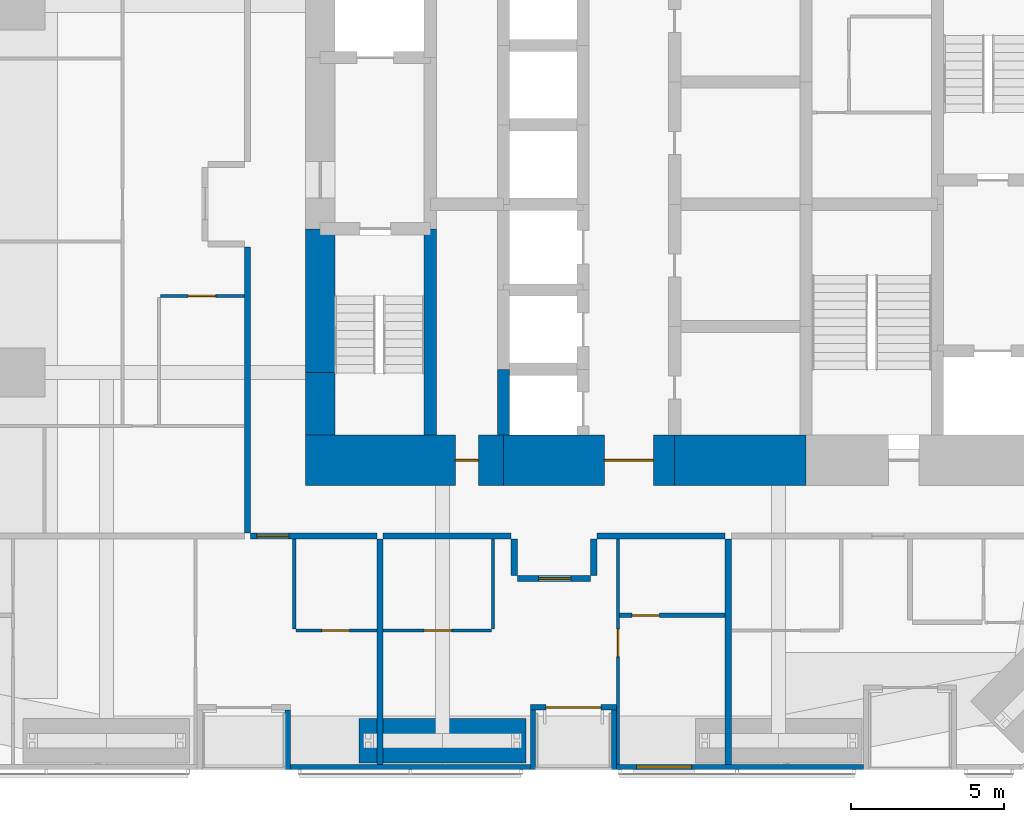
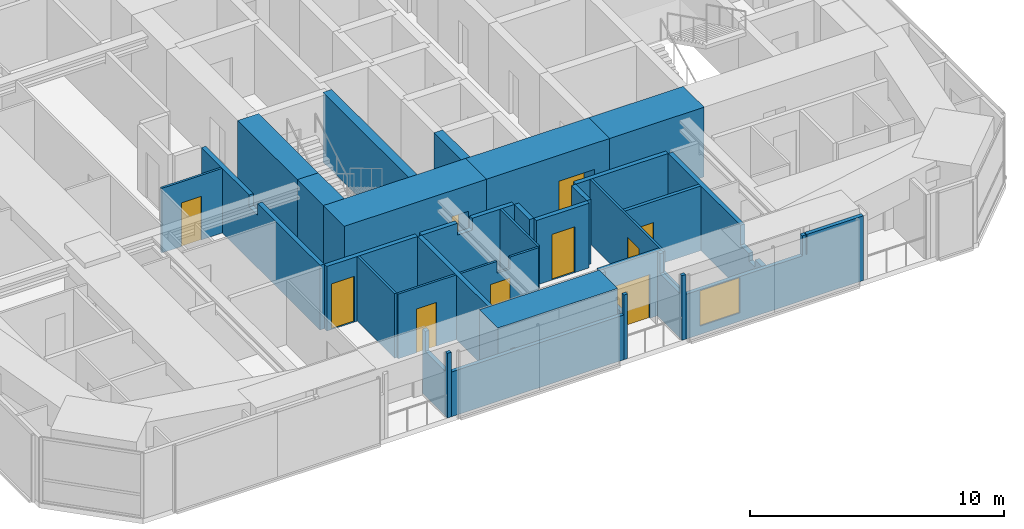
# One storey, part 17 of 23: 30 walls, 10 doors, 1 window, 11 openings.
"""IFC4 building model written with IfcOpenShell, lengths in metres."""

from ifc_helpers import new_model, si_unit, direction, frame, frame_2d, origin, place, context, subcontext, project, spatial, polyline, rectangle, outline, extrude, material, layer, layer_set, constituent, constituent_set, type_object, element, fill, save


model = new_model("IFC4")

# Units and contexts
model_context = context("Model", 3, precision=1e-05, world=origin(), true_north=direction((0.0, 1.0)))
body_context = subcontext(model_context, "Body", "Model", "MODEL_VIEW")
ifc_project = project(units=[si_unit("LENGTHUNIT", "METRE"), si_unit("AREAUNIT", "SQUARE_METRE"), si_unit("VOLUMEUNIT", "CUBIC_METRE"), si_unit("PLANEANGLEUNIT", "RADIAN"), si_unit("MASSUNIT", "GRAM", prefix="KILO")], contexts=[model_context])

# Site, building, storey
site_placement = place(None, origin())
site = spatial("IfcSite", under=ifc_project, at=site_placement, CompositionType="ELEMENT")
building_placement = place(site_placement, origin())
building = spatial("IfcBuilding", under=site, at=building_placement, Name="Jalousie Tower", CompositionType="ELEMENT")
storey_placement = place(building_placement, frame((0.0, 0.0, 27.699951171875)))
storey = spatial("IfcBuildingStorey", under=building, at=storey_placement, Name="L06", CompositionType="ELEMENT", Elevation=27.699951171875)

# Wall, opening, door
ifc_material_1 = material(Name="Concrete block ASTM C90", Category="concrete")
ifc_constituent_1 = constituent(ifc_material_1, Name="Body")
ifc_material_2 = material(Name="Render")
ifc_constituent_2 = constituent(ifc_material_2, Name="Finish")
ifc_constituent_set_1 = constituent_set(constituents=[ifc_constituent_1, ifc_constituent_2])
wall_type_1 = type_object("IfcWallType", Name="BATHROOM WALL 150", PredefinedType="PLUMBINGWALL", material=ifc_constituent_set_1)
wall_1_placement = place(storey_placement, frame((29.800048828125, 5.050048828125, 0.0), z_axis=(0.0, 0.0, 1.0), x_axis=(1.0, 0.0, 0.0)))
wall_1 = element("IfcWall", 1, at=wall_1_placement, inside=storey, type_object=wall_type_1, Name="Bathroom Wall 150 L06", PredefinedType="PLUMBINGWALL", context=body_context, shape_type="SweptSolid", body=[
    extrude(rectangle(XDim=3.449951171875, YDim=0.14990234375, at=frame_2d((1.72509765625, 0.0))), origin(), (0.0, 0.0, 1.0), 3.110107421875),
])
opening_1_placement = place(wall_1_placement, frame((0.39990234375, 0.0, 0.0)))
opening_1 = element("IfcOpeningElement", 2, at=opening_1_placement, cuts=wall_1, Name="Opening D3", PredefinedType="OPENING", context=body_context, shape_type="SweptSolid", body=[
    extrude(rectangle(XDim=0.89990234375, YDim=2.10009765625, at=frame_2d((0.449951171875, 1.050048828125))), frame((0.0, 0.0849609375, 0.0), z_axis=(0.0, -1.0, 0.0), x_axis=(1.0, 0.0, 0.0)), (0.0, 0.0, 1.0), 0.169921875),
])
ifc_material_3 = material(Name="Timber door", Category="wood")
door_type_1 = type_object("IfcDoorType", Name="BATHROOM DOOR 900", OperationType="SINGLE_SWING_LEFT", PredefinedType="DOOR", material=ifc_material_3)
door_1_placement = place(opening_1_placement, origin())
door_1 = element("IfcDoor", 3, at=door_1_placement, inside=storey, type_object=door_type_1, Name="Apartment 0602 bedroom 1 bathroom door", OperationType="SINGLE_SWING_LEFT", OverallHeight=2.10009765625, OverallWidth=0.89990234375, PredefinedType="DOOR", context=body_context, shape_type="SweptSolid", body=[
    extrude(rectangle(XDim=0.89990234375, YDim=2.10009765625, at=frame_2d((0.449951171875, 1.050048828125))), frame((0.0, 0.02490234375, 0.0), z_axis=(0.0, -1.0, 0.0), x_axis=(1.0, 0.0, 0.0)), (0.0, 0.0, 1.0), 0.050048828125),
])
fill(opening_1, door_1)

ifc_material_4 = material(Name="Concrete f'c 120 MPa", Category="concrete")
ifc_layer_1 = layer(ifc_material_4, 1.64990234375)
ifc_layer_set_1 = layer_set([ifc_layer_1], Name="Concrete f'c 120 MPa")
wall_type_2 = type_object("IfcWallType", Name="CORE WALL 1650", PredefinedType="SHEAR", material=ifc_layer_set_1)
wall_2_placement = place(storey_placement, frame((19.52490234375, 10.125, 0.0), z_axis=(0.0, 0.0, 1.0), x_axis=(1.0, 0.0, 0.0)))
wall_2 = element("IfcWall", 4, at=wall_2_placement, inside=storey, type_object=wall_type_2, Name="Core wall SA L06", PredefinedType="SHEAR", context=body_context, shape_type="SweptSolid", body=[
    extrude(rectangle(XDim=6.47509765625, YDim=1.64990234375, at=frame_2d((3.237548828125, 0.0))), origin(), (0.0, 0.0, 1.0), 3.35009765625),
])
opening_2_placement = place(wall_2_placement, frame((4.89990234375, 0.0, 0.0)))
opening_2 = element("IfcOpeningElement", 5, at=opening_2_placement, cuts=wall_2, Name="Opening D16", PredefinedType="OPENING", context=body_context, shape_type="SweptSolid", body=[
    extrude(rectangle(XDim=0.75, YDim=2.10009765625, at=frame_2d((0.375, 1.050048828125))), frame((0.0, 0.8349609375, 0.0), z_axis=(0.0, -1.0, 0.0), x_axis=(1.0, 0.0, 0.0)), (0.0, 0.0, 1.0), 1.669921875),
])
ifc_material_5 = material(Name="Steel fire door", Category="steel")
door_type_2 = type_object("IfcDoorType", Name="RISER DOOR 750", OperationType="SINGLE_SWING_LEFT", PredefinedType="DOOR", material=ifc_material_5)
door_2_placement = place(opening_2_placement, origin())
door_2 = element("IfcDoor", 6, at=door_2_placement, inside=storey, type_object=door_type_2, Name="South riser door", OperationType="SINGLE_SWING_LEFT", OverallHeight=2.10009765625, OverallWidth=0.75, PredefinedType="DOOR", context=body_context, shape_type="SweptSolid", body=[
    extrude(rectangle(XDim=0.75, YDim=2.10009765625, at=frame_2d((0.375, 1.050048828125))), frame((0.0, 0.02490234375, 0.0), z_axis=(0.0, -1.0, 0.0), x_axis=(1.0, 0.0, 0.0)), (0.0, 0.0, 1.0), 0.050048828125),
])
fill(opening_2, door_2)

wall_3_placement = place(storey_placement, frame((26.0, 10.125, 0.0), z_axis=(0.0, 0.0, 1.0), x_axis=(1.0, 0.0, 0.0)))
wall_3 = element("IfcWall", 7, at=wall_3_placement, inside=storey, type_object=wall_type_2, Name="Core wall SB L06", PredefinedType="SHEAR", context=body_context, shape_type="SweptSolid", body=[
    extrude(rectangle(XDim=5.60009765625, YDim=1.64990234375, at=frame_2d((2.800048828125, 0.0))), origin(), (0.0, 0.0, 1.0), 3.35009765625),
])
opening_3_placement = place(wall_3_placement, frame((3.300048828125, 0.0, 0.0)))
opening_3 = element("IfcOpeningElement", 8, at=opening_3_placement, cuts=wall_3, Name="Opening D15", PredefinedType="OPENING", context=body_context, shape_type="SweptSolid", body=[
    extrude(rectangle(XDim=1.60009765625, YDim=2.10009765625, at=frame_2d((0.800048828125, 1.050048828125))), frame((0.0, 0.8349609375, 0.0), z_axis=(0.0, -1.0, 0.0), x_axis=(1.0, 0.0, 0.0)), (0.0, 0.0, 1.0), 1.669921875),
])
ifc_material_6 = material(Name="Steel fire door", Category="steel")
door_type_3 = type_object("IfcDoorType", Name="LIFT LOBBY DOOR 1600", OperationType="DOUBLE_DOOR_SINGLE_SWING", PredefinedType="DOOR", material=ifc_material_6)
door_3_placement = place(opening_3_placement, origin())
door_3 = element("IfcDoor", 9, at=door_3_placement, inside=storey, type_object=door_type_3, Name="Lift lobby south door", OperationType="DOUBLE_DOOR_SINGLE_SWING", OverallHeight=2.10009765625, OverallWidth=1.60009765625, PredefinedType="DOOR", context=body_context, shape_type="SweptSolid", body=[
    extrude(rectangle(XDim=1.60009765625, YDim=2.10009765625, at=frame_2d((0.800048828125, 1.050048828125))), frame((0.0, 0.02490234375, 0.0), z_axis=(0.0, -1.0, 0.0), x_axis=(1.0, 0.0, 0.0)), (0.0, 0.0, 1.0), 0.050048828125),
])
fill(opening_3, door_3)

# Walls
wall_4_placement = place(storey_placement, frame((31.60009765625, 10.125, 0.0), z_axis=(0.0, 0.0, 1.0), x_axis=(1.0, 0.0, 0.0)))
element("IfcWall", 10, at=wall_4_placement, inside=storey, type_object=wall_type_2, Name="Core wall SC L06", PredefinedType="SHEAR", context=body_context, shape_type="SweptSolid", body=[
    extrude(rectangle(XDim=4.2998046875, YDim=1.64990234375, at=frame_2d((2.14990234375, 0.0))), origin(), (0.0, 0.0, 1.0), 3.35009765625),
])
ifc_material_7 = material(Name="Concrete f'c 120 MPa", Category="concrete")
ifc_layer_2 = layer(ifc_material_7, 0.39990234375)
ifc_layer_set_2 = layer_set([ifc_layer_2], Name="Concrete f'c 120 MPa")
wall_type_3 = type_object("IfcWallType", Name="CORE WALL 400", PredefinedType="SHEAR", material=ifc_layer_set_2)
wall_5_placement = place(storey_placement, frame((23.60009765625, 10.949951171875, 0.0), z_axis=(0.0, 0.0, 1.0), x_axis=(0.0, 1.0, 0.0)))
element("IfcWall", 11, at=wall_5_placement, inside=storey, type_object=wall_type_3, Name="Core wall X23.6A L06", PredefinedType="SHEAR", context=body_context, shape_type="SweptSolid", body=[
    extrude(rectangle(XDim=6.75, YDim=0.39990234375, at=frame_2d((3.375, 0.0))), origin(), (0.0, 0.0, 1.0), 3.35009765625),
])
wall_6_placement = place(storey_placement, frame((26.0, 10.949951171875, 0.0), z_axis=(0.0, 0.0, 1.0), x_axis=(0.0, 1.0, 0.0)))
element("IfcWall", 12, at=wall_6_placement, inside=storey, type_object=wall_type_3, Name="Core wall X26A L06", PredefinedType="SHEAR", context=body_context, shape_type="SweptSolid", body=[
    extrude(rectangle(XDim=2.150146484375, YDim=0.39990234375, at=frame_2d((1.0751953125, 0.0))), origin(), (0.0, 0.0, 1.0), 3.35009765625),
])
ifc_material_8 = material(Name="Concrete f'c 120 MPa", Category="concrete")
ifc_layer_3 = layer(ifc_material_8, 0.949951171875)
ifc_layer_set_3 = layer_set([ifc_layer_3], Name="Concrete f'c 120 MPa")
wall_type_4 = type_object("IfcWallType", Name="CORE WALL 950", PredefinedType="SHEAR", material=ifc_layer_set_3)
wall_7_placement = place(storey_placement, frame((20.0, 17.699951171875, 0.0), z_axis=(0.0, 0.0, 1.0), x_axis=(0.0, -1.0, 0.0)))
element("IfcWall", 13, at=wall_7_placement, inside=storey, type_object=wall_type_4, Name="Core wall WC L06", PredefinedType="SHEAR", context=body_context, shape_type="SweptSolid", body=[
    extrude(rectangle(XDim=4.699951171875, YDim=0.949951171875, at=frame_2d((2.35009765625, 0.0))), origin(), (0.0, 0.0, 1.0), 3.35009765625),
])
wall_8_placement = place(storey_placement, frame((20.0, 13.0, 0.0), z_axis=(0.0, 0.0, 1.0), x_axis=(0.0, -1.0, 0.0)))
element("IfcWall", 14, at=wall_8_placement, inside=storey, type_object=wall_type_4, Name="Core wall WD L06", PredefinedType="SHEAR", context=body_context, shape_type="SweptSolid", body=[
    extrude(rectangle(XDim=2.050048828125, YDim=0.949951171875, at=frame_2d((1.02490234375, 0.0))), origin(), (0.0, 0.0, 1.0), 3.35009765625),
])

# Wall, opening, door
ifc_material_9 = material(Name="Concrete block ASTM C90", Category="concrete")
ifc_constituent_3 = constituent(ifc_material_9, Name="Body")
ifc_material_10 = material(Name="Render")
ifc_constituent_4 = constituent(ifc_material_10, Name="Finish")
ifc_constituent_set_2 = constituent_set(constituents=[ifc_constituent_3, ifc_constituent_4])
wall_type_5 = type_object("IfcWallType", Name="CORRIDOR WALL 200", PredefinedType="PARTITIONING", material=ifc_constituent_set_2)
wall_9_placement = place(storey_placement, frame((17.72509765625, 7.64990234375, 0.0), z_axis=(0.0, 0.0, 1.0), x_axis=(1.0, 0.0, 0.0)))
wall_9 = element("IfcWall", 15, at=wall_9_placement, inside=storey, type_object=wall_type_5, Name="Corridor Wall 200 L06", PredefinedType="PARTITIONING", context=body_context, shape_type="SweptSolid", body=[
    extrude(rectangle(XDim=4.125, YDim=0.199951171875, at=frame_2d((2.0625, 0.0))), origin(), (0.0, 0.0, 1.0), 3.110107421875),
])
opening_4_placement = place(wall_9_placement, frame((0.199951171875, 0.0, 0.0)))
opening_4 = element("IfcOpeningElement", 16, at=opening_4_placement, cuts=wall_9, Name="Opening D1", PredefinedType="OPENING", context=body_context, shape_type="SweptSolid", body=[
    extrude(rectangle(XDim=1.050048828125, YDim=2.199951171875, at=frame_2d((0.52490234375, 1.10009765625))), frame((0.0, 0.10986328125, 0.0), z_axis=(0.0, -1.0, 0.0), x_axis=(1.0, 0.0, 0.0)), (0.0, 0.0, 1.0), 0.219970703125),
])
ifc_material_11 = material(Name="Timber fire door", Category="wood")
door_type_4 = type_object("IfcDoorType", Name="APARTMENT ENTRANCE DOOR 1050", OperationType="SINGLE_SWING_LEFT", PredefinedType="DOOR", material=ifc_material_11)
door_4_placement = place(opening_4_placement, frame((1.050048828125, 0.0, 0.0), z_axis=(0.0, 0.0, 1.0), x_axis=(-1.0, 0.0, 0.0)))
door_4 = element("IfcDoor", 17, at=door_4_placement, inside=storey, type_object=door_type_4, Name="Apartment 0601 entrance", OperationType="SINGLE_SWING_LEFT", OverallHeight=2.199951171875, OverallWidth=1.050048828125, PredefinedType="DOOR", context=body_context, shape_type="SweptSolid", body=[
    extrude(rectangle(XDim=1.050048828125, YDim=2.199951171875, at=frame_2d((0.52490234375, 1.10009765625))), frame((0.0, 0.02490234375, 0.0), z_axis=(0.0, -1.0, 0.0), x_axis=(1.0, 0.0, 0.0)), (0.0, 0.0, 1.0), 0.050048828125),
])
fill(opening_4, door_4)

# Walls
wall_10_placement = place(storey_placement, frame((22.050048828125, 7.64990234375, 0.0), z_axis=(0.0, 0.0, 1.0), x_axis=(1.0, 0.0, 0.0)))
element("IfcWall", 18, at=wall_10_placement, inside=storey, type_object=wall_type_5, Name="Corridor Wall 200 L06", PredefinedType="PARTITIONING", context=body_context, shape_type="SweptSolid", body=[
    extrude(outline(polyline([(0.0, 0.0), (4.199951171875, 0.0), (4.199951171875, 3.110107421875), (2.287353515625, 3.110107421875), (2.287353515625, 2.541015625), (1.612548828125, 2.541015625), (1.612548828125, 3.110107421875), (0.0, 3.110107421875), (0.0, 0.0)])), frame((0.0, 0.10009765625, 0.0), z_axis=(0.0, -1.0, 0.0), x_axis=(1.0, 0.0, 0.0)), (0.0, 0.0, 1.0), 0.199951171875),
])
wall_11_placement = place(storey_placement, frame((17.625, 7.75, 0.0), z_axis=(0.0, 0.0, 1.0), x_axis=(0.0, 1.0, 0.0)))
element("IfcWall", 19, at=wall_11_placement, inside=storey, type_object=wall_type_5, Name="Corridor Wall 200 L06", PredefinedType="PARTITIONING", context=body_context, shape_type="SweptSolid", body=[
    extrude(outline(polyline([(0.0, 0.0), (9.35009765625, 0.0), (9.35009765625, 3.110107421875), (5.58740234375, 3.110107421875), (5.58740234375, 2.541015625), (4.91259765625, 2.541015625), (4.91259765625, 3.110107421875), (0.0, 3.110107421875), (0.0, 0.0)])), frame((0.0, 0.10009765625, 0.0), z_axis=(0.0, -1.0, 0.0), x_axis=(1.0, 0.0, 0.0)), (0.0, 0.0, 1.0), 0.199951171875),
])
wall_12_placement = place(storey_placement, frame((29.050048828125, 7.64990234375, 0.0), z_axis=(0.0, 0.0, 1.0), x_axis=(1.0, 0.0, 0.0)))
element("IfcWall", 20, at=wall_12_placement, inside=storey, type_object=wall_type_5, Name="Corridor Wall 200 L06", PredefinedType="PARTITIONING", context=body_context, shape_type="SweptSolid", body=[
    extrude(rectangle(XDim=4.199951171875, YDim=0.199951171875, at=frame_2d((2.10009765625, 0.0))), origin(), (0.0, 0.0, 1.0), 3.110107421875),
])

# Wall, opening, door
wall_13_placement = place(storey_placement, frame((26.449951171875, 6.25, 0.0), z_axis=(0.0, 0.0, 1.0), x_axis=(1.0, 0.0, 0.0)))
wall_13 = element("IfcWall", 21, at=wall_13_placement, inside=storey, type_object=wall_type_5, Name="Corridor Wall 200 L06", PredefinedType="PARTITIONING", context=body_context, shape_type="SweptSolid", body=[
    extrude(rectangle(XDim=2.400146484375, YDim=0.199951171875, at=frame_2d((1.2001953125, 0.0))), origin(), (0.0, 0.0, 1.0), 3.110107421875),
])
opening_5_placement = place(wall_13_placement, frame((0.699951171875, 0.0, 0.0)))
opening_5 = element("IfcOpeningElement", 22, at=opening_5_placement, cuts=wall_13, Name="Opening D1", PredefinedType="OPENING", context=body_context, shape_type="SweptSolid", body=[
    extrude(rectangle(XDim=1.050048828125, YDim=2.199951171875, at=frame_2d((0.52490234375, 1.10009765625))), frame((0.0, 0.10986328125, 0.0), z_axis=(0.0, -1.0, 0.0), x_axis=(1.0, 0.0, 0.0)), (0.0, 0.0, 1.0), 0.219970703125),
])
door_5_placement = place(opening_5_placement, frame((1.050048828125, 0.0, 0.0), z_axis=(0.0, 0.0, 1.0), x_axis=(-1.0, 0.0, 0.0)))
door_5 = element("IfcDoor", 23, at=door_5_placement, inside=storey, type_object=door_type_4, Name="Apartment 0602 entrance", OperationType="SINGLE_SWING_RIGHT", OverallHeight=2.199951171875, OverallWidth=1.050048828125, PredefinedType="DOOR", context=body_context, shape_type="SweptSolid", body=[
    extrude(rectangle(XDim=1.050048828125, YDim=2.199951171875, at=frame_2d((0.52490234375, 1.10009765625))), frame((0.0, 0.02490234375, 0.0), z_axis=(0.0, -1.0, 0.0), x_axis=(1.0, 0.0, 0.0)), (0.0, 0.0, 1.0), 0.050048828125),
])
fill(opening_5, door_5)

# Walls
for number, where, z_axis, x_axis, name in (
    (24, (26.35009765625, 7.550048828125, 0.0), (0.0, 0.0, 1.0), (0.0, -1.0, 0.0), "Corridor Wall 200 L06"),
    (25, (28.949951171875, 7.550048828125, 0.0), (0.0, 0.0, 1.0), (0.0, -1.0, 0.0), "Corridor Wall 200 L06"),
):
    element("IfcWall", number, at=place(storey_placement, frame(where, z_axis=z_axis, x_axis=x_axis)), inside=storey, type_object=wall_type_5, Name=name, PredefinedType="PARTITIONING", context=body_context, shape_type="SweptSolid", body=[
        extrude(rectangle(XDim=1.199951171875, YDim=0.199951171875, at=frame_2d((0.60009765625, 0.0))), origin(), (0.0, 0.0, 1.0), 3.110107421875),
    ])
ifc_material_12 = material(Name="Concrete f'c 40 MPa", Category="concrete")
ifc_constituent_5 = constituent(ifc_material_12, Name="Body")
ifc_material_13 = material(Name="Render, pastel coral")
ifc_constituent_6 = constituent(ifc_material_13, Name="Finish")
ifc_constituent_set_3 = constituent_set(constituents=[ifc_constituent_5, ifc_constituent_6])
wall_type_6 = type_object("IfcWallType", Name="EXTERNAL WALL 175 CORAL RENDER", PredefinedType="SOLIDWALL", material=ifc_constituent_set_3)
wall_14_placement = place(storey_placement, frame((19.02490234375, 0.08740234375, 0.0), z_axis=(0.0, 0.0, 1.0), x_axis=(1.0, 0.0, 0.0)))
element("IfcWall", 26, at=wall_14_placement, inside=storey, type_object=wall_type_6, Name="External Wall 175 Coral Render L06", PredefinedType="SOLIDWALL", context=body_context, shape_type="SweptSolid", body=[
    extrude(rectangle(XDim=7.85009765625, YDim=0.175048828125, at=frame_2d((3.925048828125, 0.0))), origin(), (0.0, 0.0, 1.0), 2.150146484375),
])

# Wall, opening, window
wall_15_placement = place(storey_placement, frame((29.699951171875, 0.08740234375, 0.0), z_axis=(0.0, 0.0, 1.0), x_axis=(1.0, 0.0, 0.0)))
wall_15 = element("IfcWall", 27, at=wall_15_placement, inside=storey, type_object=wall_type_6, Name="External Wall 175 Coral Render L06", PredefinedType="SOLIDWALL", context=body_context, shape_type="SweptSolid", body=[
    extrude(outline(polyline([(0.0, 0.0), (8.074951171875, 0.0), (8.074951171875, 3.110107421875), (5.50390625, 3.110107421875), (5.50390625, 2.150146484375), (5.455810546875, 2.150146484375), (5.455810546875, 3.110107421875), (5.300048828125, 3.110107421875), (5.300048828125, 2.150146484375), (0.0, 2.150146484375), (0.0, 0.0)])), frame((0.0, 0.08740234375, 0.0), z_axis=(0.0, -1.0, 0.0), x_axis=(1.0, 0.0, 0.0)), (0.0, 0.0, 1.0), 0.175048828125),
])
opening_6_placement = place(wall_15_placement, frame((0.64990234375, 0.0, 0.39990234375)))
opening_6 = element("IfcOpeningElement", 28, at=opening_6_placement, cuts=wall_15, Name="Opening W-BED170", PredefinedType="OPENING", context=body_context, shape_type="SweptSolid", body=[
    extrude(rectangle(XDim=1.800048828125, YDim=1.699951171875, at=frame_2d((0.89990234375, 0.85009765625))), frame((0.0, 0.097412109375, 0.0), z_axis=(0.0, -1.0, 0.0), x_axis=(1.0, 0.0, 0.0)), (0.0, 0.0, 1.0), 0.195068359375),
])
ifc_material_14 = material(Name="Aluminium frame, impact-rated glazing", Category="aluminium")
window_type = type_object("IfcWindowType", Name="WINDOW BED 1800x1700", PartitioningType="SINGLE_PANEL", PredefinedType="WINDOW", material=ifc_material_14)
window_placement = place(opening_6_placement, origin())
window = element("IfcWindow", 29, at=window_placement, inside=storey, type_object=window_type, Name="Apartment 0602 bedroom 1 window", OverallHeight=1.699951171875, OverallWidth=1.800048828125, PartitioningType="SINGLE_PANEL", PredefinedType="WINDOW", context=body_context, shape_type="SweptSolid", body=[
    extrude(rectangle(XDim=1.800048828125, YDim=1.699951171875, at=frame_2d((0.89990234375, 0.85009765625))), frame((0.0, 0.030029296875, 0.0), z_axis=(0.0, -1.0, 0.0), x_axis=(1.0, 0.0, 0.0)), (0.0, 0.0, 1.0), 0.06005859375),
])
fill(opening_6, window)

# Wall
wall_16_placement = place(storey_placement, frame((18.9375, 0.0, 0.0), z_axis=(0.0, 0.0, 1.0), x_axis=(0.0, 1.0, 0.0)))
element("IfcWall", 30, at=wall_16_placement, inside=storey, type_object=wall_type_6, Name="External Wall 175 Coral Render L06", PredefinedType="SOLIDWALL", context=body_context, shape_type="SweptSolid", body=[
    extrude(outline(polyline([(0.0, 0.0), (1.949951171875, 0.0), (1.949951171875, 3.110107421875), (1.75, 3.110107421875), (1.75, 2.150146484375), (0.14990234375, 2.150146484375), (0.14990234375, 3.110107421875), (0.0, 3.110107421875), (0.0, 0.0)])), frame((0.0, 0.08740234375, 0.0), z_axis=(0.0, -1.0, 0.0), x_axis=(1.0, 0.0, 0.0)), (0.0, 0.0, 1.0), 0.175048828125),
])

# Wall, opening, door
wall_17_placement = place(storey_placement, frame((26.875, 2.03759765625, 0.0), z_axis=(0.0, 0.0, 1.0), x_axis=(1.0, 0.0, 0.0)))
wall_17 = element("IfcWall", 31, at=wall_17_placement, inside=storey, type_object=wall_type_6, Name="External Wall 175 Coral Render L06", PredefinedType="SOLIDWALL", context=body_context, shape_type="SweptSolid", body=[
    extrude(rectangle(XDim=2.824951171875, YDim=0.175048828125, at=frame_2d((1.41259765625, 0.0))), origin(), (0.0, 0.0, 1.0), 3.110107421875),
])
opening_7_placement = place(wall_17_placement, frame((0.512451171875, 0.0, 0.0)))
opening_7 = element("IfcOpeningElement", 32, at=opening_7_placement, cuts=wall_17, Name="Opening D-BAL21", PredefinedType="OPENING", context=body_context, shape_type="SweptSolid", body=[
    extrude(rectangle(XDim=1.800048828125, YDim=2.10009765625, at=frame_2d((0.89990234375, 1.050048828125))), frame((0.0, 0.097412109375, 0.0), z_axis=(0.0, -1.0, 0.0), x_axis=(1.0, 0.0, 0.0)), (0.0, 0.0, 1.0), 0.195068359375),
])
ifc_material_15 = material(Name="Aluminium frame, impact-rated glazing", Category="aluminium")
door_type_5 = type_object("IfcDoorType", Name="BALCONY DOOR 1800x2100", OperationType="SLIDING_TO_LEFT", PredefinedType="DOOR", material=ifc_material_15)
door_6_placement = place(opening_7_placement, origin())
door_6 = element("IfcDoor", 33, at=door_6_placement, inside=storey, type_object=door_type_5, Name="Apartment 0602 living and dining room loggia door", OperationType="SLIDING_TO_LEFT", OverallHeight=2.10009765625, OverallWidth=1.800048828125, PredefinedType="DOOR", context=body_context, shape_type="SweptSolid", body=[
    extrude(rectangle(XDim=1.800048828125, YDim=2.10009765625, at=frame_2d((0.89990234375, 1.050048828125))), frame((0.0, 0.02490234375, 0.0), z_axis=(0.0, -1.0, 0.0), x_axis=(1.0, 0.0, 0.0)), (0.0, 0.0, 1.0), 0.050048828125),
])
fill(opening_7, door_6)

# Walls
for number, where, z_axis, x_axis, name in (
    (34, (26.96240234375, 0.0, 0.0), (0.0, 0.0, 1.0), (0.0, 1.0, 0.0), "External Wall 175 Coral Render L06"),
    (35, (29.612548828125, 0.0, 0.0), (0.0, 0.0, 1.0), (0.0, 1.0, 0.0), "External Wall 175 Coral Render L06"),
):
    element("IfcWall", number, at=place(storey_placement, frame(where, z_axis=z_axis, x_axis=x_axis)), inside=storey, type_object=wall_type_6, Name=name, PredefinedType="SOLIDWALL", context=body_context, shape_type="SweptSolid", body=[
        extrude(outline(polyline([(0.0, 0.0), (1.949951171875, 0.0), (1.949951171875, 3.110107421875), (1.75, 3.110107421875), (1.75, 2.150146484375), (0.14990234375, 2.150146484375), (0.14990234375, 3.110107421875), (0.0, 3.110107421875), (0.0, 0.0)])), frame((0.0, 0.08740234375, 0.0), z_axis=(0.0, -1.0, 0.0), x_axis=(1.0, 0.0, 0.0)), (0.0, 0.0, 1.0), 0.175048828125),
    ])

# Wall, opening, door
ifc_material_16 = material(Name="Gypsum board", Category="gypsum")
ifc_constituent_7 = constituent(ifc_material_16, Name="Body")
ifc_material_17 = material(Name="Light-gauge steel studs ASTM A653 SS Grade 33", Category="steel")
ifc_constituent_8 = constituent(ifc_material_17, Name="Framing")
ifc_constituent_set_4 = constituent_set(constituents=[ifc_constituent_7, ifc_constituent_8])
wall_type_7 = type_object("IfcWallType", Name="PARTITION 100", PredefinedType="PARTITIONING", material=ifc_constituent_set_4)
wall_18_placement = place(storey_placement, frame((19.199951171875, 4.550048828125, 0.0), z_axis=(0.0, 0.0, 1.0), x_axis=(1.0, 0.0, 0.0)))
wall_18 = element("IfcWall", 36, at=wall_18_placement, inside=storey, type_object=wall_type_7, Name="Partition 100 L06", PredefinedType="PARTITIONING", context=body_context, shape_type="SweptSolid", body=[
    extrude(rectangle(XDim=2.650146484375, YDim=0.10009765625, at=frame_2d((1.3251953125, 0.0))), origin(), (0.0, 0.0, 1.0), 3.110107421875),
])
opening_8_placement = place(wall_18_placement, frame((0.85009765625, 0.0, 0.0)))
opening_8 = element("IfcOpeningElement", 37, at=opening_8_placement, cuts=wall_18, Name="Opening D7", PredefinedType="OPENING", context=body_context, shape_type="SweptSolid", body=[
    extrude(rectangle(XDim=0.89990234375, YDim=2.10009765625, at=frame_2d((0.449951171875, 1.050048828125))), frame((0.0, 0.06005859375, 0.0), z_axis=(0.0, -1.0, 0.0), x_axis=(1.0, 0.0, 0.0)), (0.0, 0.0, 1.0), 0.1201171875),
])
ifc_material_18 = material(Name="Timber door", Category="wood")
door_type_6 = type_object("IfcDoorType", Name="INTERNAL DOOR 900", OperationType="SINGLE_SWING_LEFT", PredefinedType="DOOR", material=ifc_material_18)
door_7_placement = place(opening_8_placement, origin())
door_7 = element("IfcDoor", 38, at=door_7_placement, inside=storey, type_object=door_type_6, Name="Apartment 0601 kitchen door", OperationType="SINGLE_SWING_LEFT", OverallHeight=2.10009765625, OverallWidth=0.89990234375, PredefinedType="DOOR", context=body_context, shape_type="SweptSolid", body=[
    extrude(rectangle(XDim=0.89990234375, YDim=2.10009765625, at=frame_2d((0.449951171875, 1.050048828125))), frame((0.0, 0.02490234375, 0.0), z_axis=(0.0, -1.0, 0.0), x_axis=(1.0, 0.0, 0.0)), (0.0, 0.0, 1.0), 0.050048828125),
])
fill(opening_8, door_7)

# Wall
wall_19_placement = place(storey_placement, frame((19.14990234375, 4.60009765625, 0.0), z_axis=(0.0, 0.0, 1.0), x_axis=(0.0, 1.0, 0.0)))
element("IfcWall", 39, at=wall_19_placement, inside=storey, type_object=wall_type_7, Name="Partition 100 L06", PredefinedType="PARTITIONING", context=body_context, shape_type="SweptSolid", body=[
    extrude(rectangle(XDim=2.949951171875, YDim=0.10009765625, at=frame_2d((1.47509765625, 0.0))), origin(), (0.0, 0.0, 1.0), 3.110107421875),
])

# Wall, opening, door
wall_20_placement = place(storey_placement, frame((29.75, 0.175048828125, 0.0), z_axis=(0.0, 0.0, 1.0), x_axis=(0.0, 1.0, 0.0)))
wall_20 = element("IfcWall", 40, at=wall_20_placement, inside=storey, type_object=wall_type_7, Name="Partition 100 L06", PredefinedType="PARTITIONING", context=body_context, shape_type="SweptSolid", body=[
    extrude(outline(polyline([(0.0, 0.0), (7.375, 0.0), (7.375, 3.110107421875), (1.635009765625, 3.110107421875), (1.635009765625, 2.150146484375), (0.0, 2.150146484375), (0.0, 3.110107421875), (0.0, 0.0)])), frame((0.0, 0.050048828125, 0.0), z_axis=(0.0, -1.0, 0.0), x_axis=(1.0, 0.0, 0.0)), (0.0, 0.0, 1.0), 0.10009765625),
])
opening_9_placement = place(wall_20_placement, frame((3.52490234375, 0.0, 0.0)))
opening_9 = element("IfcOpeningElement", 41, at=opening_9_placement, cuts=wall_20, Name="Opening D2", PredefinedType="OPENING", context=body_context, shape_type="SweptSolid", body=[
    extrude(rectangle(XDim=0.89990234375, YDim=2.10009765625, at=frame_2d((0.449951171875, 1.050048828125))), frame((0.0, 0.06005859375, 0.0), z_axis=(0.0, -1.0, 0.0), x_axis=(1.0, 0.0, 0.0)), (0.0, 0.0, 1.0), 0.1201171875),
])
ifc_material_19 = material(Name="Timber door", Category="wood")
door_type_7 = type_object("IfcDoorType", Name="BEDROOM DOOR 900", OperationType="SINGLE_SWING_LEFT", PredefinedType="DOOR", material=ifc_material_19)
door_8_placement = place(opening_9_placement, frame((0.89990234375, 0.0, 0.0), z_axis=(0.0, 0.0, 1.0), x_axis=(-1.0, 0.0, 0.0)))
door_8 = element("IfcDoor", 42, at=door_8_placement, inside=storey, type_object=door_type_7, Name="Apartment 0602 bedroom 1 door", OperationType="SINGLE_SWING_LEFT", OverallHeight=2.10009765625, OverallWidth=0.89990234375, PredefinedType="DOOR", context=body_context, shape_type="SweptSolid", body=[
    extrude(rectangle(XDim=0.89990234375, YDim=2.10009765625, at=frame_2d((0.449951171875, 1.050048828125))), frame((0.0, 0.02490234375, 0.0), z_axis=(0.0, -1.0, 0.0), x_axis=(1.0, 0.0, 0.0)), (0.0, 0.0, 1.0), 0.050048828125),
])
fill(opening_9, door_8)

wall_21_placement = place(storey_placement, frame((22.050048828125, 4.550048828125, 0.0), z_axis=(0.0, 0.0, 1.0), x_axis=(1.0, 0.0, 0.0)))
wall_21 = element("IfcWall", 43, at=wall_21_placement, inside=storey, type_object=wall_type_7, Name="Partition 100 L06", PredefinedType="PARTITIONING", context=body_context, shape_type="SweptSolid", body=[
    extrude(outline(polyline([(0.0, 0.0), (3.550048828125, 0.0), (3.550048828125, 3.110107421875), (2.2373046875, 3.110107421875), (2.2373046875, 2.541015625), (1.66259765625, 2.541015625), (1.66259765625, 3.110107421875), (0.0, 3.110107421875), (0.0, 0.0)])), frame((0.0, 0.050048828125, 0.0), z_axis=(0.0, -1.0, 0.0), x_axis=(1.0, 0.0, 0.0)), (0.0, 0.0, 1.0), 0.10009765625),
])
opening_10_placement = place(wall_21_placement, frame((1.35009765625, 0.0, 0.0)))
opening_10 = element("IfcOpeningElement", 44, at=opening_10_placement, cuts=wall_21, Name="Opening D7", PredefinedType="OPENING", context=body_context, shape_type="SweptSolid", body=[
    extrude(rectangle(XDim=0.89990234375, YDim=2.10009765625, at=frame_2d((0.449951171875, 1.050048828125))), frame((0.0, 0.06005859375, 0.0), z_axis=(0.0, -1.0, 0.0), x_axis=(1.0, 0.0, 0.0)), (0.0, 0.0, 1.0), 0.1201171875),
])
door_9_placement = place(opening_10_placement, frame((0.89990234375, 0.0, 0.0), z_axis=(0.0, 0.0, 1.0), x_axis=(-1.0, 0.0, 0.0)))
door_9 = element("IfcDoor", 45, at=door_9_placement, inside=storey, type_object=door_type_6, Name="Apartment 0602 kitchen door", OperationType="SINGLE_SWING_RIGHT", OverallHeight=2.10009765625, OverallWidth=0.89990234375, PredefinedType="DOOR", context=body_context, shape_type="SweptSolid", body=[
    extrude(rectangle(XDim=0.89990234375, YDim=2.10009765625, at=frame_2d((0.449951171875, 1.050048828125))), frame((0.0, 0.02490234375, 0.0), z_axis=(0.0, -1.0, 0.0), x_axis=(1.0, 0.0, 0.0)), (0.0, 0.0, 1.0), 0.050048828125),
])
fill(opening_10, door_9)

# Wall
wall_22_placement = place(storey_placement, frame((25.64990234375, 4.60009765625, 0.0), z_axis=(0.0, 0.0, 1.0), x_axis=(0.0, 1.0, 0.0)))
element("IfcWall", 46, at=wall_22_placement, inside=storey, type_object=wall_type_7, Name="Partition 100 L06", PredefinedType="PARTITIONING", context=body_context, shape_type="SweptSolid", body=[
    extrude(rectangle(XDim=2.949951171875, YDim=0.10009765625, at=frame_2d((1.47509765625, 0.0))), origin(), (0.0, 0.0, 1.0), 3.110107421875),
])

# Wall, opening, door
wall_23_placement = place(storey_placement, frame((14.77490234375, 15.5, 0.0), z_axis=(0.0, 0.0, 1.0), x_axis=(1.0, 0.0, 0.0)))
wall_23 = element("IfcWall", 47, at=wall_23_placement, inside=storey, type_object=wall_type_7, Name="Partition 100 L06", PredefinedType="PARTITIONING", context=body_context, shape_type="SweptSolid", body=[
    extrude(rectangle(XDim=2.75, YDim=0.10009765625, at=frame_2d((1.375, 0.0))), origin(), (0.0, 0.0, 1.0), 3.110107421875),
])
opening_11_placement = place(wall_23_placement, frame((0.89990234375, 0.0, 0.0)))
opening_11 = element("IfcOpeningElement", 48, at=opening_11_placement, cuts=wall_23, Name="Opening D7", PredefinedType="OPENING", context=body_context, shape_type="SweptSolid", body=[
    extrude(rectangle(XDim=0.89990234375, YDim=2.10009765625, at=frame_2d((0.449951171875, 1.050048828125))), frame((0.0, 0.06005859375, 0.0), z_axis=(0.0, -1.0, 0.0), x_axis=(1.0, 0.0, 0.0)), (0.0, 0.0, 1.0), 0.1201171875),
])
door_10_placement = place(opening_11_placement, frame((0.89990234375, 0.0, 0.0), z_axis=(0.0, 0.0, 1.0), x_axis=(-1.0, 0.0, 0.0)))
door_10 = element("IfcDoor", 49, at=door_10_placement, inside=storey, type_object=door_type_6, Name="Apartment 0606 kitchen door", OperationType="SINGLE_SWING_RIGHT", OverallHeight=2.10009765625, OverallWidth=0.89990234375, PredefinedType="DOOR", context=body_context, shape_type="SweptSolid", body=[
    extrude(rectangle(XDim=0.89990234375, YDim=2.10009765625, at=frame_2d((0.449951171875, 1.050048828125))), frame((0.0, 0.02490234375, 0.0), z_axis=(0.0, -1.0, 0.0), x_axis=(1.0, 0.0, 0.0)), (0.0, 0.0, 1.0), 0.050048828125),
])
fill(opening_11, door_10)

# Walls
ifc_material_20 = material(Name="Concrete block ASTM C90", Category="concrete")
ifc_constituent_9 = constituent(ifc_material_20, Name="Body")
ifc_material_21 = material(Name="Render")
ifc_constituent_10 = constituent(ifc_material_21, Name="Finish")
ifc_constituent_set_5 = constituent_set(constituents=[ifc_constituent_9, ifc_constituent_10])
wall_type_8 = type_object("IfcWallType", Name="PARTY WALL 200", PredefinedType="PARTITIONING", material=ifc_constituent_set_5)
wall_24_placement = place(storey_placement, frame((21.949951171875, 0.175048828125, 0.0), z_axis=(0.0, 0.0, 1.0), x_axis=(0.0, 1.0, 0.0)))
element("IfcWall", 50, at=wall_24_placement, inside=storey, type_object=wall_type_8, Name="Party Wall 200 L06", PredefinedType="PARTITIONING", context=body_context, shape_type="SweptSolid", body=[
    extrude(outline(polyline([(0.52880859375, 2.150146484375), (0.0, 2.150146484375), (0.0, 0.0), (0.52880859375, 0.0), (0.52880859375, 0.090087890625), (1.021240234375, 0.090087890625), (1.021240234375, 0.0), (7.375, 0.0), (7.375, 3.110107421875), (1.68505859375, 3.110107421875), (1.68505859375, 2.150146484375), (1.021240234375, 2.150146484375), (1.021240234375, 2.06005859375), (0.52880859375, 2.06005859375), (0.52880859375, 2.150146484375)])), frame((0.0, 0.10009765625, 0.0), z_axis=(0.0, -1.0, 0.0), x_axis=(1.0, 0.0, 0.0)), (0.0, 0.0, 1.0), 0.199951171875),
])
wall_25_placement = place(storey_placement, frame((33.35009765625, 0.175048828125, 0.0), z_axis=(0.0, 0.0, 1.0), x_axis=(0.0, 1.0, 0.0)))
element("IfcWall", 51, at=wall_25_placement, inside=storey, type_object=wall_type_8, Name="Party Wall 200 L06", PredefinedType="PARTITIONING", context=body_context, shape_type="SweptSolid", body=[
    extrude(outline(polyline([(0.52880859375, 2.150146484375), (0.0, 2.150146484375), (0.0, 0.0), (0.52880859375, 0.0), (0.52880859375, 0.366455078125), (1.021240234375, 0.366455078125), (1.021240234375, 0.0), (7.375, 0.0), (7.375, 3.110107421875), (1.68505859375, 3.110107421875), (1.68505859375, 2.150146484375), (1.021240234375, 2.150146484375), (1.021240234375, 1.78369140625), (0.52880859375, 1.78369140625), (0.52880859375, 2.150146484375)])), frame((0.0, 0.10009765625, 0.0), z_axis=(0.0, -1.0, 0.0), x_axis=(1.0, 0.0, 0.0)), (0.0, 0.0, 1.0), 0.199951171875),
])
ifc_material_22 = material(Name="Concrete f'c 120 MPa", Category="concrete")
ifc_layer_4 = layer(ifc_material_22, 1.449951171875)
ifc_layer_set_4 = layer_set([ifc_layer_4], Name="Concrete f'c 120 MPa")
wall_type_9 = type_object("IfcWallType", Name="RC WALL PIER 1450", PredefinedType="SHEAR", material=ifc_layer_set_4)
wall_26_placement = place(storey_placement, frame((21.27490234375, 0.949951171875, 0.0), z_axis=(0.0, 0.0, 1.0), x_axis=(1.0, 0.0, 0.0)))
element("IfcWall", 52, at=wall_26_placement, inside=storey, type_object=wall_type_9, Name="Wall pier 03 L06", PredefinedType="SHEAR", context=body_context, shape_type="SweptSolid", body=[
    extrude(rectangle(XDim=5.4501953125, YDim=1.449951171875, at=frame_2d((2.72509765625, 0.0))), origin(), (0.0, 0.0, 1.0), 3.35009765625),
])

save(model, "model.ifc")
